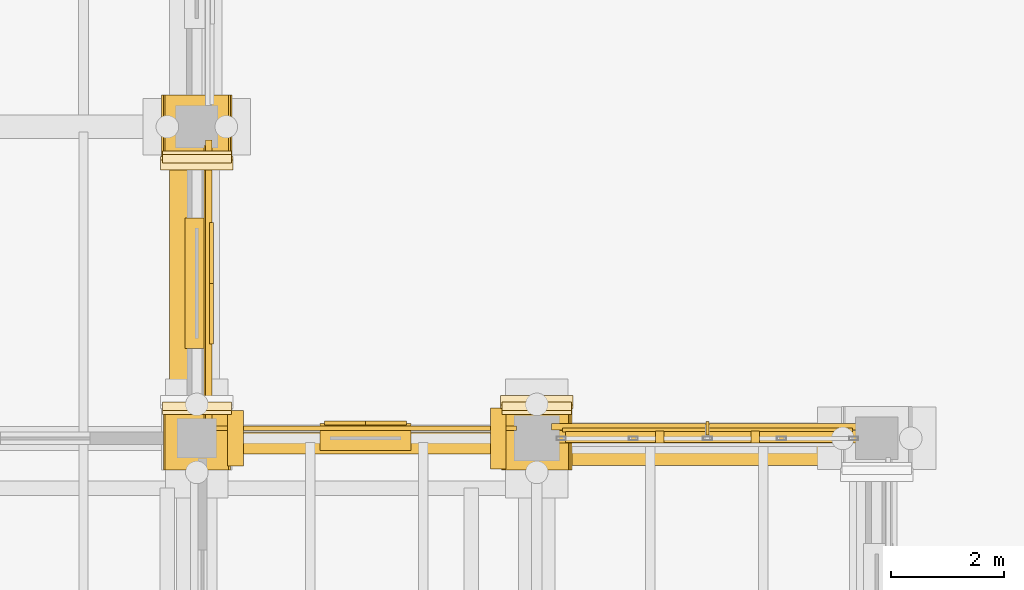
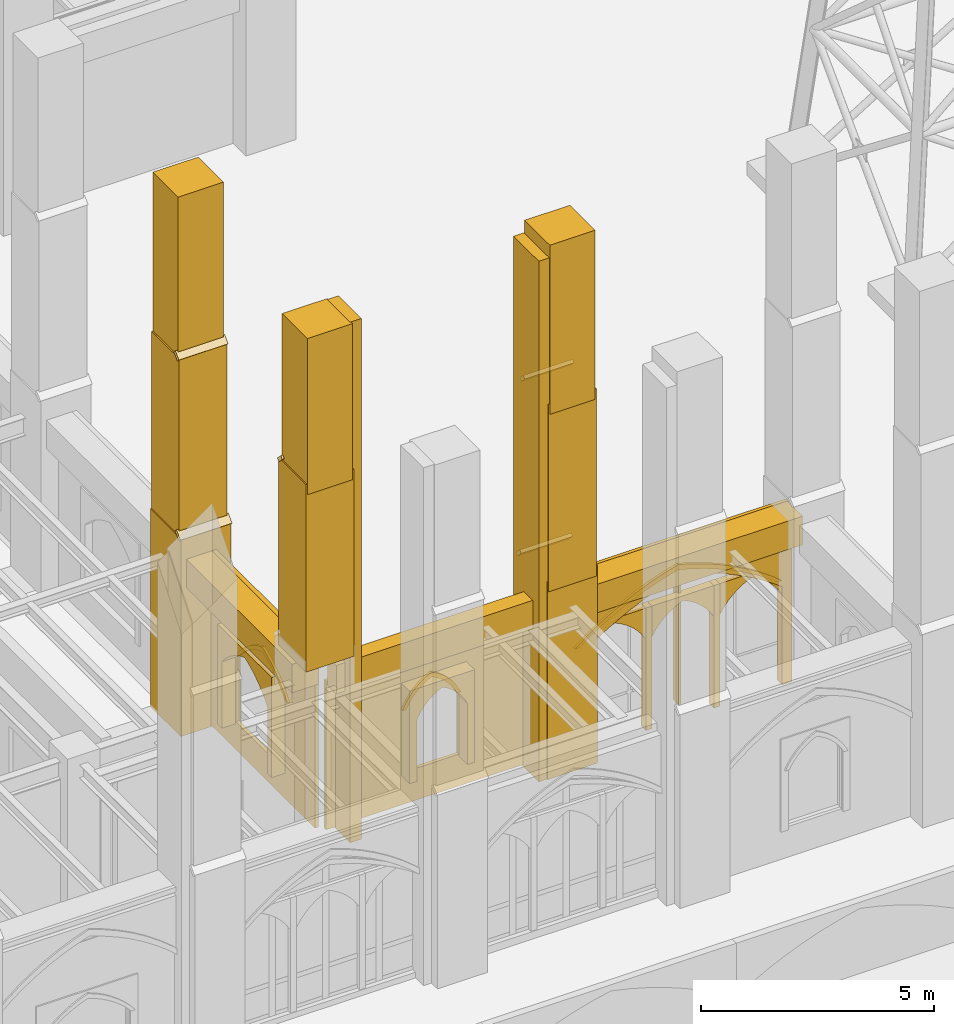
# One storey, part 99 of 135: 33 coverings, 1 shading device.
"""IFC4 building model written with IfcOpenShell, lengths in metres."""

from ifc_helpers import new_model, si_unit, direction, frame, origin, origin_2d, place, context, subcontext, project, spatial, polyline, rectangle, outline, extrude, material, type_object, element, save


model = new_model("IFC4")

# Units and contexts
model_context = context("Model", 3, precision=1e-05, world=origin(), true_north=direction((0.0, 1.0)))
body_context = subcontext(model_context, "Body", "Model", "MODEL_VIEW")
ifc_project = project(units=[si_unit("LENGTHUNIT", "METRE"), si_unit("AREAUNIT", "SQUARE_METRE"), si_unit("VOLUMEUNIT", "CUBIC_METRE"), si_unit("PLANEANGLEUNIT", "RADIAN"), si_unit("MASSUNIT", "GRAM", prefix="KILO")], contexts=[model_context])

# Site, building, storey
site_placement = place(None, origin())
site = spatial("IfcSite", under=ifc_project, at=site_placement, CompositionType="ELEMENT")
building_placement = place(site_placement, origin())
building = spatial("IfcBuilding", under=site, at=building_placement, Name="Cumevento Cable Car Station", CompositionType="ELEMENT")
storey_placement = place(building_placement, origin())
storey = spatial("IfcBuildingStorey", under=building, at=storey_placement, Name="L01", CompositionType="ELEMENT", Elevation=0.0)

# Shading device
ifc_material_1 = material(Name="Anodised Bronze Aluminium AW-6063-T6", Category="aluminium")
shading_device_type = type_object("IfcShadingDeviceType", Name="Bronze Lancet Brise-Soleil BS-01", PredefinedType="JALOUSIE", material=ifc_material_1)
shading_device_placement = place(storey_placement, frame((79.012451171875, 9.679931640625, 0.260009765625), z_axis=(0.0, 0.0, 1.0), x_axis=(1.0, 0.0, 0.0)))
element("IfcShadingDevice", 1, at=shading_device_placement, inside=storey, type_object=shading_device_type, Name="Bronze Lancet Solar Fin #6", PredefinedType="JALOUSIE", context=body_context, shape_type="SweptSolid", body=[
    extrude(rectangle(XDim=0.054931640625, YDim=0.239990234375, at=origin_2d()), origin(), (0.0, 0.0, 1.0), 3.60888671875),
])

# Coverings
ifc_material_2 = material(Name="Gnaisse Facoidal Stone Ashlar 85 MPa", Category="masonry")
covering_type = type_object("IfcCoveringType", Name="Gnaisse Ashlar Cladding CV-CL01", PredefinedType="CLADDING", material=ifc_material_2)
covering_1_placement = place(storey_placement, frame((70.0, 9.530029296875, 4.84326171875), z_axis=(0.0, 0.0, 1.0), x_axis=(-1.0, 0.0, 0.0)))
element("IfcCovering", 2, at=covering_1_placement, inside=storey, type_object=covering_type, Name="Stepped Gothic Stone Buttress Tier 2 bt:70.0:9.5", PredefinedType="CLADDING", context=body_context, shape_type="SweptSolid", body=[
    extrude(rectangle(XDim=1.179931640625, YDim=1.179931640625, at=origin_2d()), origin(), (0.0, 0.0, 1.0), 4.9033203125),
])
covering_2_placement = place(storey_placement, frame((70.610107421875, 10.139892578125, 9.726318359375), z_axis=(0.0, 0.714474823669, 0.699661151089), x_axis=(-1.0, 0.0, 0.0)))
element("IfcCovering", 3, at=covering_2_placement, inside=storey, type_object=covering_type, Name="Gothic Buttress Sloped Stone Weathering 2 bt:70.0:9.5", PredefinedType="CLADDING", context=body_context, shape_type="SweptSolid", body=[
    extrude(outline(polyline([(0.0, 0.0), (1.22021484375, 0.0), (1.22021484375, 0.21424991728737655), (0.0, 0.21424991728737655), (0.0, 0.0)])), origin(), (0.0, 0.0, -1.0), 0.090087890625),
])
covering_3_placement = place(storey_placement, frame((70.0, 9.47998046875, 9.47412109375), z_axis=(0.0, 0.0, 1.0), x_axis=(-1.0, 0.0, 0.0)))
element("IfcCovering", 4, at=covering_3_placement, inside=storey, type_object=covering_type, Name="Stepped Gothic Stone Buttress Tier 3 bt:70.0:9.5", PredefinedType="CLADDING", context=body_context, shape_type="SweptSolid", body=[
    extrude(rectangle(XDim=1.1201171875, YDim=1.080078125, at=origin_2d()), origin(), (0.0, 0.0, 1.0), 4.0859375),
])
covering_4_placement = place(storey_placement, frame((70.679931640625, 9.5, -0.06005859375), z_axis=(0.0, 0.0, 1.0), x_axis=(1.0, 0.0, 0.0)))
element("IfcCovering", 5, at=covering_4_placement, inside=storey, type_object=covering_type, Name="Corner Buttress Stone Return (70.0,9.5)", PredefinedType="CLADDING", context=body_context, shape_type="SweptSolid", body=[
    extrude(rectangle(XDim=0.280029296875, YDim=0.97998046875, at=origin_2d()), origin(), (0.0, 0.0, 1.0), 13.6201171875),
])
covering_5_placement = place(storey_placement, frame((70.0, 14.909912109375, -0.06005859375), z_axis=(0.0, 0.0, 1.0), x_axis=(1.0, 0.0, 0.0)))
element("IfcCovering", 6, at=covering_5_placement, inside=storey, type_object=covering_type, Name="Stepped Gothic Stone Buttress Tier 1 bt:70.0:15.0", PredefinedType="CLADDING", context=body_context, shape_type="SweptSolid", body=[
    extrude(rectangle(XDim=1.239990234375, YDim=1.300048828125, at=origin_2d()), origin(), (0.0, 0.0, 1.0), 5.175537109375),
])
covering_6_placement = place(storey_placement, frame((69.360107421875, 14.239990234375, 5.095703125), z_axis=(0.0, -0.711135781079, 0.703054692658), x_axis=(1.0, 0.0, 0.0)))
element("IfcCovering", 7, at=covering_6_placement, inside=storey, type_object=covering_type, Name="Gothic Buttress Sloped Stone Weathering 1 bt:70.0:15.0", PredefinedType="CLADDING", context=body_context, shape_type="SweptSolid", body=[
    extrude(outline(polyline([(0.0, 0.0), (1.27978515625, 0.0), (1.27978515625, 0.24169083397703695), (0.0, 0.24169083397703695), (0.0, 0.0)])), origin(), (0.0, 0.0, -1.0), 0.090087890625),
])
covering_7_placement = place(storey_placement, frame((70.0, 14.969970703125, 4.84326171875), z_axis=(0.0, 0.0, 1.0), x_axis=(1.0, 0.0, 0.0)))
element("IfcCovering", 8, at=covering_7_placement, inside=storey, type_object=covering_type, Name="Stepped Gothic Stone Buttress Tier 2 bt:70.0:15.0", PredefinedType="CLADDING", context=body_context, shape_type="SweptSolid", body=[
    extrude(rectangle(XDim=1.179931640625, YDim=1.179931640625, at=origin_2d()), origin(), (0.0, 0.0, 1.0), 4.9033203125),
])
covering_8_placement = place(storey_placement, frame((69.389892578125, 14.360107421875, 9.726318359375), z_axis=(0.0, -0.714474823669, 0.699661151089), x_axis=(1.0, 0.0, 0.0)))
element("IfcCovering", 9, at=covering_8_placement, inside=storey, type_object=covering_type, Name="Gothic Buttress Sloped Stone Weathering 2 bt:70.0:15.0", PredefinedType="CLADDING", context=body_context, shape_type="SweptSolid", body=[
    extrude(outline(polyline([(0.0, 0.0), (1.22021484375, 0.0), (1.22021484375, 0.21424991728737655), (0.0, 0.21424991728737655), (0.0, 0.0)])), origin(), (0.0, 0.0, -1.0), 0.090087890625),
])
covering_9_placement = place(storey_placement, frame((70.0, 15.02001953125, 9.47412109375), z_axis=(0.0, 0.0, 1.0), x_axis=(1.0, 0.0, 0.0)))
element("IfcCovering", 10, at=covering_9_placement, inside=storey, type_object=covering_type, Name="Stepped Gothic Stone Buttress Tier 3 bt:70.0:15.0", PredefinedType="CLADDING", context=body_context, shape_type="SweptSolid", body=[
    extrude(rectangle(XDim=1.1201171875, YDim=1.080078125, at=origin_2d()), origin(), (0.0, 0.0, 1.0), 4.426025390625),
])
covering_10_placement = place(storey_placement, frame((76.0, 9.590087890625, -0.06005859375), z_axis=(0.0, 0.0, 1.0), x_axis=(-1.0, 0.0, 0.0)))
element("IfcCovering", 11, at=covering_10_placement, inside=storey, type_object=covering_type, Name="Stepped Gothic Stone Buttress Tier 1 bt:76.0:9.5", PredefinedType="CLADDING", context=body_context, shape_type="SweptSolid", body=[
    extrude(rectangle(XDim=1.239990234375, YDim=1.300048828125, at=origin_2d()), origin(), (0.0, 0.0, 1.0), 5.175537109375),
])
covering_11_placement = place(storey_placement, frame((76.639892578125, 10.260009765625, 5.095703125), z_axis=(0.0, 0.711135781079, 0.703054692658), x_axis=(-1.0, 0.0, 0.0)))
element("IfcCovering", 12, at=covering_11_placement, inside=storey, type_object=covering_type, Name="Gothic Buttress Sloped Stone Weathering 1 bt:76.0:9.5", PredefinedType="CLADDING", context=body_context, shape_type="SweptSolid", body=[
    extrude(outline(polyline([(0.0, 0.0), (1.27978515625, 0.0), (1.27978515625, 0.24169083397703695), (0.0, 0.24169083397703695), (0.0, 0.0)])), origin(), (0.0, 0.0, -1.0), 0.090087890625),
])
covering_12_placement = place(storey_placement, frame((76.0, 9.530029296875, 4.84326171875), z_axis=(0.0, 0.0, 1.0), x_axis=(-1.0, 0.0, 0.0)))
element("IfcCovering", 13, at=covering_12_placement, inside=storey, type_object=covering_type, Name="Stepped Gothic Stone Buttress Tier 2 bt:76.0:9.5", PredefinedType="CLADDING", context=body_context, shape_type="SweptSolid", body=[
    extrude(rectangle(XDim=1.179931640625, YDim=1.179931640625, at=origin_2d()), origin(), (0.0, 0.0, 1.0), 4.9033203125),
])
covering_13_placement = place(storey_placement, frame((76.610107421875, 10.139892578125, 9.726318359375), z_axis=(0.0, 0.714474823669, 0.699661151089), x_axis=(-1.0, 0.0, 0.0)))
element("IfcCovering", 14, at=covering_13_placement, inside=storey, type_object=covering_type, Name="Gothic Buttress Sloped Stone Weathering 2 bt:76.0:9.5", PredefinedType="CLADDING", context=body_context, shape_type="SweptSolid", body=[
    extrude(outline(polyline([(0.0, 0.0), (1.22021484375, 0.0), (1.22021484375, 0.21424991728737655), (0.0, 0.21424991728737655), (0.0, 0.0)])), origin(), (0.0, 0.0, -1.0), 0.090087890625),
])
covering_14_placement = place(storey_placement, frame((76.0, 9.47998046875, 9.47412109375), z_axis=(0.0, 0.0, 1.0), x_axis=(-1.0, 0.0, 0.0)))
element("IfcCovering", 15, at=covering_14_placement, inside=storey, type_object=covering_type, Name="Stepped Gothic Stone Buttress Tier 3 bt:76.0:9.5", PredefinedType="CLADDING", context=body_context, shape_type="SweptSolid", body=[
    extrude(rectangle(XDim=1.1201171875, YDim=1.080078125, at=origin_2d()), origin(), (0.0, 0.0, 1.0), 4.426025390625),
])
covering_15_placement = place(storey_placement, frame((75.320068359375, 9.5, -0.06005859375), z_axis=(0.0, 0.0, 1.0), x_axis=(1.0, 0.0, 0.0)))
element("IfcCovering", 16, at=covering_15_placement, inside=storey, type_object=covering_type, Name="Corner Buttress Stone Return (76.0,9.5)", PredefinedType="CLADDING", context=body_context, shape_type="SweptSolid", body=[
    extrude(rectangle(XDim=0.280029296875, YDim=1.080078125, at=origin_2d()), origin(), (0.0, 0.0, 1.0), 13.6201171875),
])
covering_16_placement = place(storey_placement, frame((72.97509765625, 9.409912109375, 3.784912109375), z_axis=(0.0, 0.0, 1.0), x_axis=(1.0, 0.0, 0.0)))
element("IfcCovering", 17, at=covering_16_placement, inside=storey, type_object=covering_type, Name="Gothic Stone Spandrel Stringcourse sc:0020", PredefinedType="CLADDING", context=body_context, shape_type="SweptSolid", body=[
    extrude(rectangle(XDim=5.31005859375, YDim=0.3798828125, at=origin_2d()), origin(), (0.0, 0.0, 1.0), 0.7470703125),
])
covering_17_placement = place(storey_placement, frame((79.012451171875, 9.35009765625, 3.80908203125), z_axis=(0.0, 0.0, 1.0), x_axis=(1.0, 0.0, 0.0)))
element("IfcCovering", 18, at=covering_17_placement, inside=storey, type_object=covering_type, Name="Gothic Stone Spandrel Stringcourse sc:0021", PredefinedType="CLADDING", context=body_context, shape_type="SweptSolid", body=[
    extrude(rectangle(XDim=5.465087890625, YDim=0.659912109375, at=origin_2d()), origin(), (0.0, 0.0, 1.0), 0.7470703125),
])
covering_18_placement = place(storey_placement, frame((79.012451171875, 9.70751953125, 4.426025390625), z_axis=(0.0, 0.0, 1.0), x_axis=(1.0, 0.0, 0.0)))
element("IfcCovering", 19, at=covering_18_placement, inside=storey, type_object=covering_type, Name="Gothic Cornice Dripstone Lip sc:0021", PredefinedType="CLADDING", context=body_context, shape_type="SweptSolid", body=[
    extrude(rectangle(XDim=5.5048828125, YDim=0.114990234375, at=origin_2d()), origin(), (0.0, 0.0, 1.0), 0.1298828125),
])
covering_19_placement = place(storey_placement, frame((69.85009765625, 12.237548828125, 3.784912109375), z_axis=(0.0, 0.0, 1.0), x_axis=(0.0, -1.0, 0.0)))
element("IfcCovering", 20, at=covering_19_placement, inside=storey, type_object=covering_type, Name="Gothic Stone Spandrel Stringcourse sc:0035", PredefinedType="CLADDING", context=body_context, shape_type="SweptSolid", body=[
    extrude(rectangle(XDim=5.014892578125, YDim=0.659912109375, at=origin_2d()), origin(), (0.0, 0.0, 1.0), 0.7470703125),
])
covering_20_placement = place(storey_placement, frame((70.20751953125, 12.237548828125, 4.402099609375), z_axis=(0.0, 0.0, 1.0), x_axis=(0.0, -1.0, 0.0)))
element("IfcCovering", 21, at=covering_20_placement, inside=storey, type_object=covering_type, Name="Gothic Cornice Dripstone Lip sc:0035", PredefinedType="CLADDING", context=body_context, shape_type="SweptSolid", body=[
    extrude(rectangle(XDim=5.054931640625, YDim=0.114990234375, at=origin_2d()), origin(), (0.0, 0.0, 1.0), 0.1298828125),
])
placement = place(storey_placement, frame((76.39990234375, 9.5, 0.0), z_axis=(0.0, 0.0, 1.0), x_axis=(1.0, 0.0, 0.0)))
element("IfcCovering", 22, at=placement, inside=storey, type_object=covering_type, Name="Gothic Ogival Pointed-Arch Stone Spandrel cw_ogival:0010", PredefinedType="CLADDING", context=body_context, shape_type="SweptSolid", body=[
    extrude(outline(polyline([(-0.080078125, 0.0), (-0.080078125, 3.948974609375), (5.304931640625, 3.948974609375), (5.304931640625, 0.0), (5.06494140625, 0.0), (5.06494140625, 2.56982421875), (4.7880859375, 2.771240234375), (4.5009765625, 2.9580078125), (4.20458984375, 3.1298828125), (3.89990234375, 3.286376953125), (3.58740234375, 3.4267578125), (3.26806640625, 3.55078125), (2.94287109375, 3.658447265625), (2.612548828125, 3.7490234375), (2.2822265625, 3.658447265625), (1.95703125, 3.55078125), (1.6376953125, 3.4267578125), (1.3251953125, 3.286376953125), (1.0205078125, 3.1298828125), (0.72412109375, 2.9580078125), (0.43701171875, 2.771240234375), (0.159912109375, 2.56982421875), (0.159912109375, 0.0), (-0.080078125, 0.0)])), frame((0.0, 0.139892578125, 0.0), z_axis=(0.0, -1.0, 0.0), x_axis=(1.0, 0.0, 0.0)), (0.0, 0.0, 1.0), 0.219970703125),
])
covering_22_placement = place(storey_placement, frame((76.39990234375, 9.5, 2.56982421875), z_axis=(0.0, 0.0, 1.0), x_axis=(1.0, 0.0, 0.0)))
element("IfcCovering", 23, at=covering_22_placement, inside=storey, type_object=covering_type, Name="Gothic Pointed Archivolt Hood Moulding cw_ogival:0010", PredefinedType="CLADDING", context=body_context, shape_type="SweptSolid", body=[
    extrude(outline(polyline([(0.159912109375, 0.0), (0.43701171875, 0.201416015625), (0.72412109375, 0.38818359375), (1.0205078125, 0.56005859375), (1.3251953125, 0.716552734375), (1.6376953125, 0.85693359375), (1.95703125, 0.98095703125), (2.2822265625, 1.088623046875), (2.612548828125, 1.17919921875), (2.94287109375, 1.088623046875), (3.26806640625, 0.98095703125), (3.58740234375, 0.85693359375), (3.89990234375, 0.716552734375), (4.20458984375, 0.56005859375), (4.5009765625, 0.38818359375), (4.7880859375, 0.201416015625), (5.06494140625, 0.0), (5.175048828125, 0.0), (4.8896484375, 0.22412109375), (4.59228515625, 0.432373046875), (4.2841796875, 0.624267578125), (3.966064453125, 0.798828125), (3.638671875, 0.955810546875), (3.303466796875, 1.0947265625), (2.9609375, 1.215087890625), (2.612548828125, 1.316650390625), (2.26416015625, 1.215087890625), (1.921630859375, 1.0947265625), (1.58642578125, 0.955810546875), (1.259033203125, 0.798828125), (0.94091796875, 0.624267578125), (0.6328125, 0.432373046875), (0.33544921875, 0.22412109375), (0.050048828125, 0.0), (0.159912109375, 0.0)])), frame((0.0, 0.181884765625, 0.0), z_axis=(0.0, -1.0, 0.0), x_axis=(1.0, 0.0, 0.0)), (0.0, 0.0, 1.0), 0.06689453125),
])
element("IfcCovering", 24, at=placement, inside=storey, type_object=covering_type, Name="Gothic Bifora Stone Colonnette cw_ogival:0010 #1", PredefinedType="CLADDING", context=body_context, shape_type="SweptSolid", body=[
    extrude(outline(polyline([(1.695068359375, -0.02001953125), (1.844970703125, -0.02001953125), (1.844970703125, 3.18310546875), (1.695068359375, 3.18310546875), (1.695068359375, -0.02001953125)])), frame((0.0, 0.1279296875, 0.0), z_axis=(0.0, -1.0, 0.0), x_axis=(1.0, 0.0, 0.0)), (0.0, 0.0, 1.0), 0.205078125),
])
element("IfcCovering", 25, at=placement, inside=storey, type_object=covering_type, Name="Gothic Bifora Stone Colonnette cw_ogival:0010 #2", PredefinedType="CLADDING", context=body_context, shape_type="SweptSolid", body=[
    extrude(outline(polyline([(3.3798828125, -0.02001953125), (3.530029296875, -0.02001953125), (3.530029296875, 3.18310546875), (3.3798828125, 3.18310546875), (3.3798828125, -0.02001953125)])), frame((0.0, 0.1279296875, 0.0), z_axis=(0.0, -1.0, 0.0), x_axis=(1.0, 0.0, 0.0)), (0.0, 0.0, 1.0), 0.205078125),
])
for number, where, z_axis, x_axis, name in (
    (26, (76.530029296875, 9.5, 2.389892578125), (0.0, 0.0, 1.0), (1.0, 0.0, 0.0), "Gothic Ogival Pointed-Arch Stone Spandrel cw_ogival:0010:sub:0"),
    (27, (78.215087890625, 9.5, 2.389892578125), (0.0, 0.0, 1.0), (1.0, 0.0, 0.0), "Gothic Ogival Pointed-Arch Stone Spandrel cw_ogival:0010:sub:1"),
    (28, (79.89990234375, 9.5, 2.389892578125), (0.0, 0.0, 1.0), (1.0, 0.0, 0.0), "Gothic Ogival Pointed-Arch Stone Spandrel cw_ogival:0010:sub:2"),
):
    element("IfcCovering", number, at=place(storey_placement, frame(where, z_axis=z_axis, x_axis=x_axis)), inside=storey, type_object=covering_type, Name=name, PredefinedType="CLADDING", context=body_context, shape_type="SweptSolid", body=[
        extrude(outline(polyline([(-0.02001953125, 0.0), (-0.02001953125, 0.793212890625), (1.614990234375, 0.793212890625), (1.614990234375, 0.0), (1.554931640625, 0.0), (1.462890625, 0.145263671875), (1.35498046875, 0.279296875), (1.23291015625, 0.400390625), (1.098388671875, 0.50732421875), (0.952392578125, 0.5986328125), (0.797607421875, 0.673095703125), (0.642578125, 0.5986328125), (0.49658203125, 0.50732421875), (0.362060546875, 0.400390625), (0.239990234375, 0.279296875), (0.132080078125, 0.145263671875), (0.0400390625, 0.0), (-0.02001953125, 0.0)])), frame((0.0, 0.1240234375, 0.0), z_axis=(0.0, -1.0, 0.0), x_axis=(1.0, 0.0, 0.0)), (0.0, 0.0, 1.0), 0.199951171875),
    ])
covering_25_placement = place(storey_placement, frame((70.35009765625, 9.5, 0.0), z_axis=(0.0, 0.0, 1.0), x_axis=(1.0, 0.0, 0.0)))
element("IfcCovering", 29, at=covering_25_placement, inside=storey, type_object=covering_type, Name="Exterior Gnaisse Stone Wall Ashlar #119", PredefinedType="CLADDING", context=body_context, shape_type="SweptSolid", body=[
    extrude(outline(polyline([(-0.0400390625, -0.02001953125), (5.2900390625, -0.02001953125), (5.2900390625, 3.864990234375), (-0.0400390625, 3.864990234375), (-0.0400390625, -0.02001953125)]), holes=[polyline([(2.010009765625, 0.81005859375), (3.239990234375, 0.81005859375), (3.239990234375, 2.93994140625), (2.010009765625, 2.93994140625), (2.010009765625, 0.81005859375)])]), frame((0.0, 0.222412109375, 0.0), z_axis=(0.0, -1.0, 0.0), x_axis=(1.0, 0.0, 0.0)), (0.0, 0.0, 1.0), 0.0849609375),
])
covering_26_placement = place(storey_placement, frame((72.2099609375, 9.5, 0.75), z_axis=(0.0, 0.0, 1.0), x_axis=(1.0, 0.0, 0.0)))
element("IfcCovering", 30, at=covering_26_placement, inside=storey, type_object=covering_type, Name="Gothic Ogival Pointed-Arch Stone Spandrel op_ogival:0119:1", PredefinedType="CLADDING", context=body_context, shape_type="SweptSolid", body=[
    extrude(outline(polyline([(-0.0400390625, 0.0), (-0.0400390625, 2.419921875), (1.570068359375, 2.419921875), (1.570068359375, 0.0), (1.389892578125, 0.0), (1.389892578125, 1.597900390625), (1.332275390625, 1.71533203125), (1.262451171875, 1.826416015625), (1.181640625, 1.92919921875), (1.09033203125, 2.022705078125), (0.98974609375, 2.1064453125), (0.880859375, 2.17919921875), (0.764892578125, 2.239990234375), (0.649169921875, 2.17919921875), (0.540283203125, 2.1064453125), (0.439697265625, 2.022705078125), (0.348388671875, 1.92919921875), (0.267578125, 1.826416015625), (0.19775390625, 1.71533203125), (0.139892578125, 1.597900390625), (0.139892578125, 0.0), (-0.0400390625, 0.0)])), frame((0.0, 0.260498046875, 0.0), z_axis=(0.0, -1.0, 0.0), x_axis=(1.0, 0.0, 0.0)), (0.0, 0.0, 1.0), 0.47509765625),
])
covering_27_placement = place(storey_placement, frame((72.2099609375, 9.5, 2.347900390625), z_axis=(0.0, 0.0, 1.0), x_axis=(1.0, 0.0, 0.0)))
element("IfcCovering", 31, at=covering_27_placement, inside=storey, type_object=covering_type, Name="Gothic Pointed Archivolt Hood Moulding op_ogival:0119:1", PredefinedType="CLADDING", context=body_context, shape_type="SweptSolid", body=[
    extrude(outline(polyline([(0.139892578125, 0.0), (0.19775390625, 0.117431640625), (0.267578125, 0.228271484375), (0.348388671875, 0.3310546875), (0.439697265625, 0.4248046875), (0.540283203125, 0.508544921875), (0.649169921875, 0.5810546875), (0.764892578125, 0.64208984375), (0.880859375, 0.5810546875), (0.98974609375, 0.508544921875), (1.09033203125, 0.4248046875), (1.181640625, 0.3310546875), (1.262451171875, 0.228271484375), (1.332275390625, 0.117431640625), (1.389892578125, 0.0), (1.489013671875, 0.0), (1.423828125, 0.1396484375), (1.34423828125, 0.271484375), (1.2509765625, 0.39404296875), (1.14501953125, 0.505859375), (1.02783203125, 0.60595703125), (0.900634765625, 0.69287109375), (0.764892578125, 0.765869140625), (0.62939453125, 0.69287109375), (0.502197265625, 0.60595703125), (0.385009765625, 0.505859375), (0.279052734375, 0.39404296875), (0.185791015625, 0.271484375), (0.106201171875, 0.1396484375), (0.041015625, 0.0), (0.139892578125, 0.0)])), frame((0.0, 0.302490234375, 0.0), z_axis=(0.0, -1.0, 0.0), x_axis=(1.0, 0.0, 0.0)), (0.0, 0.0, 1.0), 0.06689453125),
])
covering_28_placement = place(storey_placement, frame((70.0, 14.625, 0.0), z_axis=(0.0, 0.0, 1.0), x_axis=(0.0, -1.0, 0.0)))
element("IfcCovering", 32, at=covering_28_placement, inside=storey, type_object=covering_type, Name="Exterior Gnaisse Stone Wall Ashlar #127", PredefinedType="CLADDING", context=body_context, shape_type="SweptSolid", body=[
    extrude(outline(polyline([(-0.0400390625, -0.02001953125), (4.81494140625, -0.02001953125), (4.81494140625, 3.864990234375), (-0.0400390625, 3.864990234375), (-0.0400390625, -0.02001953125)]), holes=[polyline([(1.422607421875, 0.7099609375), (3.3525390625, 0.7099609375), (3.3525390625, 3.0400390625), (1.422607421875, 3.0400390625), (1.422607421875, 0.7099609375)])]), frame((0.0, 0.215087890625, 0.0), z_axis=(0.0, -1.0, 0.0), x_axis=(1.0, 0.0, 0.0)), (0.0, 0.0, 1.0), 0.0849609375),
])
covering_29_placement = place(storey_placement, frame((70.0, 13.3525390625, 0.64990234375), z_axis=(0.0, 0.0, 1.0), x_axis=(0.0, -1.0, 0.0)))
element("IfcCovering", 33, at=covering_29_placement, inside=storey, type_object=covering_type, Name="Gothic Ogival Pointed-Arch Stone Spandrel op_ogival:0127:1", PredefinedType="CLADDING", context=body_context, shape_type="SweptSolid", body=[
    extrude(outline(polyline([(-0.0400390625, 0.0), (-0.0400390625, 2.6201171875), (2.27001953125, 2.6201171875), (2.27001953125, 0.0), (2.090087890625, 0.0), (2.090087890625, 1.741943359375), (1.9775390625, 1.874267578125), (1.854736328125, 1.996826171875), (1.72216796875, 2.109130859375), (1.5810546875, 2.210205078125), (1.43212890625, 2.29931640625), (1.2763671875, 2.376220703125), (1.114990234375, 2.43994140625), (0.95361328125, 2.376220703125), (0.7978515625, 2.29931640625), (0.64892578125, 2.210205078125), (0.5078125, 2.109130859375), (0.375244140625, 1.996826171875), (0.25244140625, 1.874267578125), (0.139892578125, 1.741943359375), (0.139892578125, 0.0), (-0.0400390625, 0.0)])), frame((0.0, 0.2529296875, 0.0), z_axis=(0.0, -1.0, 0.0), x_axis=(1.0, 0.0, 0.0)), (0.0, 0.0, 1.0), 0.4599609375),
])
covering_30_placement = place(storey_placement, frame((70.0, 13.3525390625, 2.39208984375), z_axis=(0.0, 0.0, 1.0), x_axis=(0.0, -1.0, 0.0)))
element("IfcCovering", 34, at=covering_30_placement, inside=storey, type_object=covering_type, Name="Gothic Pointed Archivolt Hood Moulding op_ogival:0127:1", PredefinedType="CLADDING", context=body_context, shape_type="SweptSolid", body=[
    extrude(outline(polyline([(0.139892578125, 0.0), (0.25244140625, 0.13232421875), (0.375244140625, 0.2548828125), (0.5078125, 0.3671875), (0.64892578125, 0.46826171875), (0.7978515625, 0.557373046875), (0.95361328125, 0.63427734375), (1.114990234375, 0.697998046875), (1.2763671875, 0.63427734375), (1.43212890625, 0.557373046875), (1.5810546875, 0.46826171875), (1.72216796875, 0.3671875), (1.854736328125, 0.2548828125), (1.9775390625, 0.13232421875), (2.090087890625, 0.0), (2.18896484375, 0.0), (2.06884765625, 0.15478515625), (1.935791015625, 0.298828125), (1.790771484375, 0.430908203125), (1.635009765625, 0.550048828125), (1.4697265625, 0.655517578125), (1.2958984375, 0.74609375), (1.114990234375, 0.82177734375), (0.93408203125, 0.74609375), (0.76025390625, 0.655517578125), (0.594970703125, 0.550048828125), (0.439208984375, 0.430908203125), (0.294189453125, 0.298828125), (0.1611328125, 0.15478515625), (0.041015625, 0.0), (0.139892578125, 0.0)])), frame((0.0, 0.294921875, 0.0), z_axis=(0.0, -1.0, 0.0), x_axis=(1.0, 0.0, 0.0)), (0.0, 0.0, 1.0), 0.06689453125),
])

save(model, "model.ifc")
